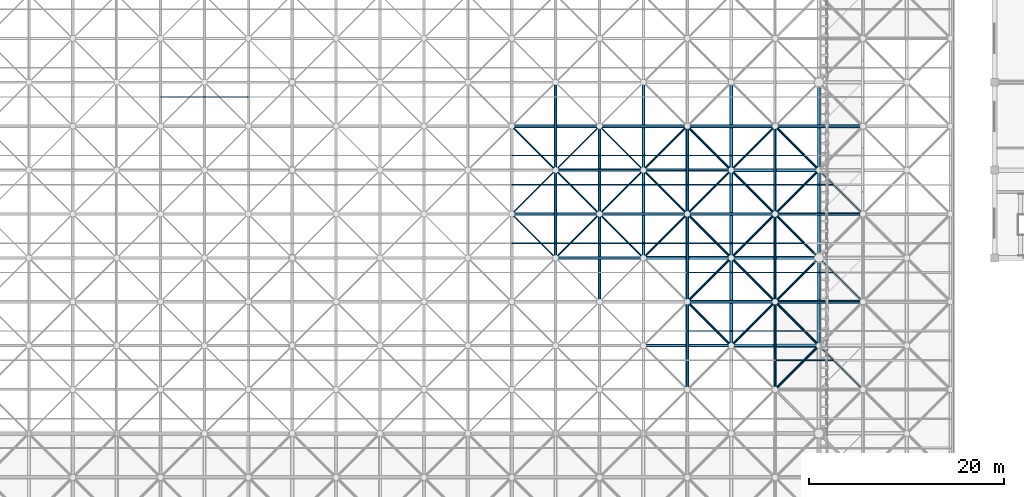
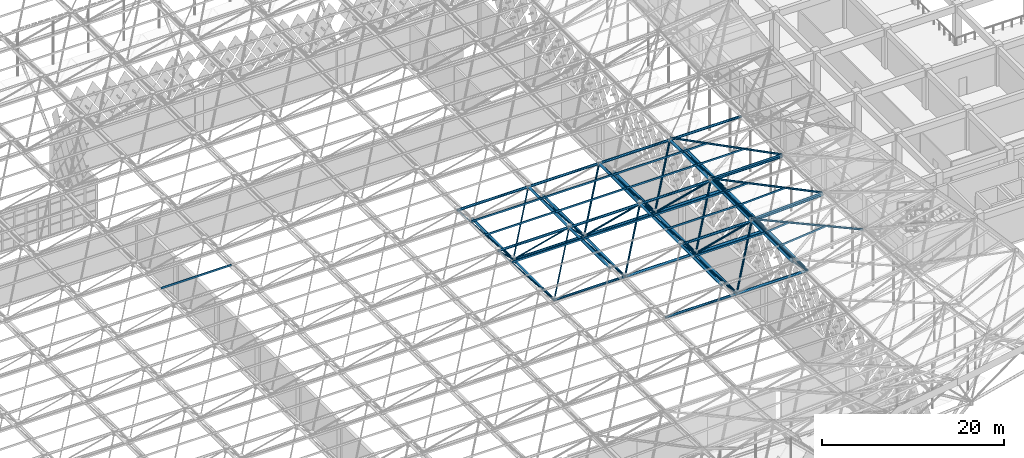
# One storey, part 94 of 437: 89 members.
"""IFC4 building model written with IfcOpenShell, lengths in metres."""

from ifc_helpers import new_model, si_unit, direction, frame, origin, origin_2d, place, context, subcontext, project, spatial, polyline, hollow_circle, outline, extrude, material, material_profile, profile_set, type_object, element, save


model = new_model("IFC4")

# Units and contexts
model_context = context("Model", 3, precision=1e-05, world=origin(), true_north=direction((0.0, 1.0)))
body_context = subcontext(model_context, "Body", "Model", "MODEL_VIEW")
ifc_project = project(units=[si_unit("LENGTHUNIT", "METRE"), si_unit("AREAUNIT", "SQUARE_METRE"), si_unit("VOLUMEUNIT", "CUBIC_METRE"), si_unit("PLANEANGLEUNIT", "RADIAN"), si_unit("MASSUNIT", "GRAM", prefix="KILO")], contexts=[model_context])

# Site, building, storey
site_placement = place(None, origin())
site = spatial("IfcSite", under=ifc_project, at=site_placement, CompositionType="ELEMENT")
building_placement = place(site_placement, origin())
building = spatial("IfcBuilding", under=site, at=building_placement, Name="Opaline Strait Convention Centre", CompositionType="ELEMENT")
storey_placement = place(building_placement, frame((0.0, 0.0, 11.5)))
storey = spatial("IfcBuildingStorey", under=building, at=storey_placement, Name="L02", CompositionType="ELEMENT", Elevation=11.5)

# Members
ifc_material = material(Name="Steel Q355B", Category="steel")
ifc_material_profile_1 = material_profile(ifc_material, outline(polyline([(-0.03759765625, -0.125), (0.03759765625, -0.125), (0.03759765625, -0.10498046875), (0.034912109375, -0.10498046875), (0.034912109375, -0.12255859375), (-0.034912109375, -0.12255859375), (-0.034912109375, 0.12255859375), (0.034912109375, 0.12255859375), (0.034912109375, 0.10498046875), (0.03759765625, 0.10498046875), (0.03759765625, 0.125), (-0.03759765625, 0.125), (-0.03759765625, -0.125)])), Name="C 250x75x20x2.5")
ifc_profile_set_1 = profile_set([ifc_material_profile_1], Name="Steel Q355B")
member_type_1 = type_object("IfcMemberType", Name="Roof purlin C 250x75x20x2.5", PredefinedType="PURLIN", material=ifc_profile_set_1)
member_1_placement = place(storey_placement, frame((247.5, 82.5, 18.257080078125), z_axis=(1.0, 0.0, 0.0), x_axis=(0.0, 1.0, 0.0)))
element("IfcMember", 1, at=member_1_placement, inside=storey, type_object=member_type_1, Name="EXB-RF-P-18-4-1", PredefinedType="PURLIN", context=body_context, shape_type="SweptSolid", body=[
    extrude(outline(polyline([(-0.03759765625, -0.125), (0.03759765625, -0.125), (0.03759765625, -0.10498046875), (0.034912109375, -0.10498046875), (0.034912109375, -0.12255859375), (-0.034912109375, -0.12255859375), (-0.034912109375, 0.12255859375), (0.034912109375, 0.12255859375), (0.034912109375, 0.10498046875), (0.03759765625, 0.10498046875), (0.03759765625, 0.125), (-0.03759765625, 0.125), (-0.03759765625, -0.125)])), origin(), (0.0, 0.0, 1.0), 9.0),
])
member_2_placement = place(storey_placement, frame((265.5, 76.5, 19.144775390625), z_axis=(-0.705385748856, 0.705385748856, -0.069727258812), x_axis=(-0.707423051329, -0.706758384602, 0.006724004996)))
element("IfcMember", 2, at=member_2_placement, inside=storey, type_object=member_type_1, Name="EXB-RF-F-19-4", PredefinedType="PURLIN", context=body_context, shape_type="SweptSolid", body=[
    extrude(outline(polyline([(-0.03759765625, -0.125), (0.03759765625, -0.125), (0.03759765625, -0.10498046875), (0.034912109375, -0.10498046875), (0.034912109375, -0.12255859375), (-0.034912109375, -0.12255859375), (-0.034912109375, 0.12255859375), (0.034912109375, 0.12255859375), (0.034912109375, 0.10498046875), (0.03759765625, 0.10498046875), (0.03759765625, 0.125), (-0.03759765625, 0.125), (-0.03759765625, -0.125)])), origin(), (0.0, 0.0, 1.0), 12.759033203125),
])
member_3_placement = place(storey_placement, frame((256.449951171875, 85.45361328125, 18.257568359375), z_axis=(0.999005016003, 0.0, 0.044597959613), x_axis=(0.002411571545, 0.998536953469, -0.054019782307)))
element("IfcMember", 3, at=member_3_placement, inside=storey, type_object=member_type_1, Name="EXB-RF-E-19-4a", PredefinedType="PURLIN", context=body_context, shape_type="SweptSolid", body=[
    extrude(outline(polyline([(-0.03759765625, -0.125), (0.03759765625, -0.125), (0.03759765625, -0.10498046875), (0.034912109375, -0.10498046875), (0.034912109375, -0.12255859375), (-0.034912109375, -0.12255859375), (-0.034912109375, 0.12255859375), (0.034912109375, 0.12255859375), (0.034912109375, 0.10498046875), (0.03759765625, 0.10498046875), (0.03759765625, 0.125), (-0.03759765625, 0.125), (-0.03759765625, -0.125)])), origin(), (0.0, 0.0, 1.0), 9.109130859375),
])
member_4_placement = place(storey_placement, frame((256.5517578125, 76.449951171875, 18.2626953125), z_axis=(0.0, 1.0, 0.0), x_axis=(-0.995149078082, 0.0, -0.098378414266)))
element("IfcMember", 4, at=member_4_placement, inside=storey, type_object=member_type_1, Name="EXB-RF-E-19-4b", PredefinedType="PURLIN", context=body_context, shape_type="SweptSolid", body=[
    extrude(outline(polyline([(-0.03759765625, -0.125), (0.03759765625, -0.125), (0.03759765625, -0.10498046875), (0.034912109375, -0.10498046875), (0.034912109375, -0.12255859375), (-0.034912109375, -0.12255859375), (-0.034912109375, 0.12255859375), (0.034912109375, 0.12255859375), (0.034912109375, 0.10498046875), (0.03759765625, 0.10498046875), (0.03759765625, 0.125), (-0.03759765625, 0.125), (-0.03759765625, -0.125)])), origin(), (0.0, 0.0, 1.0), 9.10009765625),
])
member_5_placement = place(storey_placement, frame((256.58642578125, 79.5, 18.26611328125), z_axis=(0.995150180521, 0.0, 0.098367261879), x_axis=(0.0, 1.0, 0.0)))
element("IfcMember", 5, at=member_5_placement, inside=storey, type_object=member_type_1, Name="EXB-RF-P-19-4-0b", PredefinedType="PURLIN", context=body_context, shape_type="SweptSolid", body=[
    extrude(outline(polyline([(-0.03759765625, -0.125), (0.03759765625, -0.125), (0.03759765625, -0.10498046875), (0.034912109375, -0.10498046875), (0.034912109375, -0.12255859375), (-0.034912109375, -0.12255859375), (-0.034912109375, 0.12255859375), (0.034912109375, 0.12255859375), (0.034912109375, 0.10498046875), (0.03759765625, 0.10498046875), (0.03759765625, 0.125), (-0.03759765625, 0.125), (-0.03759765625, -0.125)])), origin(), (0.0, 0.0, 1.0), 5.89208984375),
])
member_6_placement = place(storey_placement, frame((256.58642578125, 82.5, 18.26611328125), z_axis=(0.995144966284, 0.0, 0.098419998371), x_axis=(0.0, 1.0, 0.0)))
element("IfcMember", 6, at=member_6_placement, inside=storey, type_object=member_type_1, Name="EXB-RF-P-19-4-1b", PredefinedType="PURLIN", context=body_context, shape_type="SweptSolid", body=[
    extrude(outline(polyline([(-0.03759765625, -0.125), (0.03759765625, -0.125), (0.03759765625, -0.10498046875), (0.034912109375, -0.10498046875), (0.034912109375, -0.12255859375), (-0.034912109375, -0.12255859375), (-0.034912109375, 0.12255859375), (0.034912109375, 0.12255859375), (0.034912109375, 0.10498046875), (0.03759765625, 0.10498046875), (0.03759765625, 0.125), (-0.03759765625, 0.125), (-0.03759765625, -0.125)])), origin(), (0.0, 0.0, 1.0), 2.87744140625),
])
for number, where, z_axis, x_axis, name in (
    (7, (229.5, 91.5, 18.257080078125), (1.0, 0.0, 0.0), (0.0, 1.0, 0.0), "EXB-RF-P-16-5-1"),
    (8, (238.5, 91.5, 18.257080078125), (1.0, 0.0, 0.0), (0.0, 1.0, 0.0), "EXB-RF-P-17-5-1"),
    (9, (247.5, 88.5, 18.257080078125), (1.0, 0.0, 0.0), (0.0, 1.0, 0.0), "EXB-RF-P-18-5-0"),
    (10, (247.5, 91.5, 18.257080078125), (1.0, 0.0, 0.0), (0.0, 1.0, 0.0), "EXB-RF-P-18-5-1"),
):
    element("IfcMember", number, at=place(storey_placement, frame(where, z_axis=z_axis, x_axis=x_axis)), inside=storey, type_object=member_type_1, Name=name, PredefinedType="PURLIN", context=body_context, shape_type="SweptSolid", body=[
        extrude(outline(polyline([(-0.03759765625, -0.125), (0.03759765625, -0.125), (0.03759765625, -0.10498046875), (0.034912109375, -0.10498046875), (0.034912109375, -0.12255859375), (-0.034912109375, -0.12255859375), (-0.034912109375, 0.12255859375), (0.034912109375, 0.12255859375), (0.034912109375, 0.10498046875), (0.03759765625, 0.10498046875), (0.03759765625, 0.125), (-0.03759765625, 0.125), (-0.03759765625, -0.125)])), origin(), (0.0, 0.0, 1.0), 9.0),
    ])
member_7_placement = place(storey_placement, frame((265.5, 85.5, 18.6572265625), z_axis=(-0.706754608869, 0.706754608869, -0.031557022738), x_axis=(-0.707421437094, -0.706472170757, 0.021259874997)))
element("IfcMember", 11, at=member_7_placement, inside=storey, type_object=member_type_1, Name="EXB-RF-F-19-5", PredefinedType="PURLIN", context=body_context, shape_type="SweptSolid", body=[
    extrude(outline(polyline([(-0.03759765625, -0.125), (0.03759765625, -0.125), (0.03759765625, -0.10498046875), (0.034912109375, -0.10498046875), (0.034912109375, -0.12255859375), (-0.034912109375, -0.12255859375), (-0.034912109375, 0.12255859375), (0.034912109375, 0.12255859375), (0.034912109375, 0.10498046875), (0.03759765625, 0.10498046875), (0.03759765625, 0.125), (-0.03759765625, 0.125), (-0.03759765625, -0.125)])), origin(), (0.0, 0.0, 1.0), 12.734375),
])
member_8_placement = place(storey_placement, frame((256.449951171875, 94.45556640625, 18.25830078125), z_axis=(0.999973571083, 0.0, 0.007270291296), x_axis=(0.000271545984, 0.999302242213, -0.037349095988)))
element("IfcMember", 12, at=member_8_placement, inside=storey, type_object=member_type_1, Name="EXB-RF-E-19-5a", PredefinedType="PURLIN", context=body_context, shape_type="SweptSolid", body=[
    extrude(outline(polyline([(-0.03759765625, -0.125), (0.03759765625, -0.125), (0.03759765625, -0.10498046875), (0.034912109375, -0.10498046875), (0.034912109375, -0.12255859375), (-0.034912109375, -0.12255859375), (-0.034912109375, 0.12255859375), (0.034912109375, 0.12255859375), (0.034912109375, 0.10498046875), (0.03759765625, 0.10498046875), (0.03759765625, 0.125), (-0.03759765625, 0.125), (-0.03759765625, -0.125)])), origin(), (0.0, 0.0, 1.0), 9.100341796875),
])
member_9_placement = place(storey_placement, frame((256.54541015625, 85.449951171875, 18.259033203125), z_axis=(0.0, 1.0, 0.0), x_axis=(-0.999004644434, 0.0, -0.044606282058)))
element("IfcMember", 13, at=member_9_placement, inside=storey, type_object=member_type_1, Name="EXB-RF-E-19-5b", PredefinedType="PURLIN", context=body_context, shape_type="SweptSolid", body=[
    extrude(outline(polyline([(-0.03759765625, -0.125), (0.03759765625, -0.125), (0.03759765625, -0.10498046875), (0.034912109375, -0.10498046875), (0.034912109375, -0.12255859375), (-0.034912109375, -0.12255859375), (-0.034912109375, 0.12255859375), (0.034912109375, 0.12255859375), (0.034912109375, 0.10498046875), (0.03759765625, 0.10498046875), (0.03759765625, 0.125), (-0.03759765625, 0.125), (-0.03759765625, -0.125)])), origin(), (0.0, 0.0, 1.0), 9.10009765625),
])
member_10_placement = place(storey_placement, frame((256.579833984375, 88.5, 18.2607421875), z_axis=(0.999005721795, 0.0, 0.044582146876), x_axis=(0.0, 1.0, 0.0)))
element("IfcMember", 14, at=member_10_placement, inside=storey, type_object=member_type_1, Name="EXB-RF-P-19-5-0b", PredefinedType="PURLIN", context=body_context, shape_type="SweptSolid", body=[
    extrude(outline(polyline([(-0.03759765625, -0.125), (0.03759765625, -0.125), (0.03759765625, -0.10498046875), (0.034912109375, -0.10498046875), (0.034912109375, -0.12255859375), (-0.034912109375, -0.12255859375), (-0.034912109375, 0.12255859375), (0.034912109375, 0.12255859375), (0.034912109375, 0.10498046875), (0.03759765625, 0.10498046875), (0.03759765625, 0.125), (-0.03759765625, 0.125), (-0.03759765625, -0.125)])), origin(), (0.0, 0.0, 1.0), 5.8759765625),
])
member_11_placement = place(storey_placement, frame((256.579833984375, 91.5, 18.2607421875), z_axis=(0.99900431847, 0.0, 0.044613581762), x_axis=(0.0, 1.0, 0.0)))
element("IfcMember", 15, at=member_11_placement, inside=storey, type_object=member_type_1, Name="EXB-RF-P-19-5-1b", PredefinedType="PURLIN", context=body_context, shape_type="SweptSolid", body=[
    extrude(outline(polyline([(-0.03759765625, -0.125), (0.03759765625, -0.125), (0.03759765625, -0.10498046875), (0.034912109375, -0.10498046875), (0.034912109375, -0.12255859375), (-0.034912109375, -0.12255859375), (-0.034912109375, 0.12255859375), (0.034912109375, 0.12255859375), (0.034912109375, 0.10498046875), (0.03759765625, 0.10498046875), (0.03759765625, 0.125), (-0.03759765625, 0.125), (-0.03759765625, -0.125)])), origin(), (0.0, 0.0, 1.0), 2.873046875),
])
for number, where, z_axis, x_axis, name in (
    (16, (229.5, 97.5, 18.257080078125), (1.0, 0.0, 0.0), (0.0, 1.0, 0.0), "EXB-RF-P-16-6-0"),
    (17, (229.5, 100.5, 18.257080078125), (1.0, 0.0, 0.0), (0.0, 1.0, 0.0), "EXB-RF-P-16-6-1"),
    (18, (238.5, 97.5, 18.257080078125), (1.0, 0.0, 0.0), (0.0, 1.0, 0.0), "EXB-RF-P-17-6-0"),
    (19, (238.5, 100.5, 18.257080078125), (1.0, 0.0, 0.0), (0.0, 1.0, 0.0), "EXB-RF-P-17-6-1"),
    (20, (247.5, 97.5, 18.257080078125), (1.0, 0.0, 0.0), (0.0, 1.0, 0.0), "EXB-RF-P-18-6-0"),
    (21, (247.5, 100.5, 18.257080078125), (1.0, 0.0, 0.0), (0.0, 1.0, 0.0), "EXB-RF-P-18-6-1"),
):
    element("IfcMember", number, at=place(storey_placement, frame(where, z_axis=z_axis, x_axis=x_axis)), inside=storey, type_object=member_type_1, Name=name, PredefinedType="PURLIN", context=body_context, shape_type="SweptSolid", body=[
        extrude(outline(polyline([(-0.03759765625, -0.125), (0.03759765625, -0.125), (0.03759765625, -0.10498046875), (0.034912109375, -0.10498046875), (0.034912109375, -0.12255859375), (-0.034912109375, -0.12255859375), (-0.034912109375, 0.12255859375), (0.034912109375, 0.12255859375), (0.034912109375, 0.10498046875), (0.03759765625, 0.10498046875), (0.03759765625, 0.125), (-0.03759765625, 0.125), (-0.03759765625, -0.125)])), origin(), (0.0, 0.0, 1.0), 9.0),
    ])
member_12_placement = place(storey_placement, frame((265.5, 94.5, 18.322021484375), z_axis=(-0.7070974383, 0.7070974383, -0.005140573824), x_axis=(-0.707116123947, -0.707078731646, 0.005143394667)))
element("IfcMember", 22, at=member_12_placement, inside=storey, type_object=member_type_1, Name="EXB-RF-F-19-6", PredefinedType="PURLIN", context=body_context, shape_type="SweptSolid", body=[
    extrude(outline(polyline([(-0.03759765625, -0.125), (0.03759765625, -0.125), (0.03759765625, -0.10498046875), (0.034912109375, -0.10498046875), (0.034912109375, -0.12255859375), (-0.034912109375, -0.12255859375), (-0.034912109375, 0.12255859375), (0.034912109375, 0.12255859375), (0.034912109375, 0.10498046875), (0.03759765625, 0.10498046875), (0.03759765625, 0.125), (-0.03759765625, 0.125), (-0.03759765625, -0.125)])), origin(), (0.0, 0.0, 1.0), 12.72802734375),
])
member_13_placement = place(storey_placement, frame((256.5, 97.5, 18.257080078125), z_axis=(0.999973627418, 0.0, 0.007262538757), x_axis=(0.0, 1.0, 0.0)))
element("IfcMember", 23, at=member_13_placement, inside=storey, type_object=member_type_1, Name="EXB-RF-P-19-6-0b", PredefinedType="PURLIN", context=body_context, shape_type="SweptSolid", body=[
    extrude(outline(polyline([(-0.03759765625, -0.125), (0.03759765625, -0.125), (0.03759765625, -0.10498046875), (0.034912109375, -0.10498046875), (0.034912109375, -0.12255859375), (-0.034912109375, -0.12255859375), (-0.034912109375, 0.12255859375), (0.034912109375, 0.12255859375), (0.034912109375, 0.10498046875), (0.03759765625, 0.10498046875), (0.03759765625, 0.125), (-0.03759765625, 0.125), (-0.03759765625, -0.125)])), origin(), (0.0, 0.0, 1.0), 5.9501953125),
])
member_14_placement = place(storey_placement, frame((256.5, 100.5, 18.257080078125), z_axis=(0.999973480305, 0.0, 0.007282766388), x_axis=(0.0, 1.0, 0.0)))
element("IfcMember", 24, at=member_14_placement, inside=storey, type_object=member_type_1, Name="EXB-RF-P-19-6-1b", PredefinedType="PURLIN", context=body_context, shape_type="SweptSolid", body=[
    extrude(outline(polyline([(-0.03759765625, -0.125), (0.03759765625, -0.125), (0.03759765625, -0.10498046875), (0.034912109375, -0.10498046875), (0.034912109375, -0.12255859375), (-0.034912109375, -0.12255859375), (-0.034912109375, 0.12255859375), (0.034912109375, 0.12255859375), (0.034912109375, 0.10498046875), (0.03759765625, 0.10498046875), (0.03759765625, 0.125), (-0.03759765625, 0.125), (-0.03759765625, -0.125)])), origin(), (0.0, 0.0, 1.0), 2.949951171875),
])
member_15_placement = place(storey_placement, frame((193.5, 106.5, 18.257080078125), z_axis=(1.0, 0.0, 0.0), x_axis=(0.0, 1.0, 0.0)))
element("IfcMember", 25, at=member_15_placement, inside=storey, type_object=member_type_1, Name="EXB-RF-P-12-7-0", PredefinedType="PURLIN", context=body_context, shape_type="SweptSolid", body=[
    extrude(outline(polyline([(-0.03759765625, -0.125), (0.03759765625, -0.125), (0.03759765625, -0.10498046875), (0.034912109375, -0.10498046875), (0.034912109375, -0.12255859375), (-0.034912109375, -0.12255859375), (-0.034912109375, 0.12255859375), (0.034912109375, 0.12255859375), (0.034912109375, 0.10498046875), (0.03759765625, 0.10498046875), (0.03759765625, 0.125), (-0.03759765625, 0.125), (-0.03759765625, -0.125)])), origin(), (0.0, 0.0, 1.0), 9.0),
])
ifc_material_profile_2 = material_profile(ifc_material, hollow_circle(Radius=0.1494140625, WallThickness=0.010009765625, at=origin_2d()), Name="CHS 299x10")
ifc_profile_set_2 = profile_set([ifc_material_profile_2], Name="Steel Q355B")
member_type_2 = type_object("IfcMemberType", Name="Space frame bottom chord CHS 299x10", PredefinedType="CHORD", material=ifc_profile_set_2)
for number, where, z_axis, x_axis, name in (
    (26, (233.949951171875, 90.0, 12.5), (1.0, 0.0, 0.0), (0.0, 1.0, 0.0), "EXB-RF-BX-16-5"),
    (27, (233.949951171875, 99.0, 12.5), (1.0, 0.0, 0.0), (0.0, 1.0, 0.0), "EXB-RF-BX-16-6"),
    (28, (234.0, 89.949951171875, 12.5), (0.0, 1.0, 0.0), (-1.0, 0.0, 0.0), "EXB-RF-BY-16-5"),
    (29, (234.0, 98.949951171875, 12.5), (0.0, 1.0, 0.0), (-1.0, 0.0, 0.0), "EXB-RF-BY-16-6"),
):
    element("IfcMember", number, at=place(storey_placement, frame(where, z_axis=z_axis, x_axis=x_axis)), inside=storey, type_object=member_type_2, Name=name, PredefinedType="CHORD", context=body_context, shape_type="SweptSolid", body=[
        extrude(hollow_circle(Radius=0.1494140625, WallThickness=0.010009765625, at=origin_2d()), origin(), (0.0, 0.0, 1.0), 9.10009765625),
    ])
ifc_material_profile_3 = material_profile(ifc_material, hollow_circle(Radius=0.16259765625, WallThickness=0.013916015625, at=origin_2d()), Name="CHS 325x14")
ifc_profile_set_3 = profile_set([ifc_material_profile_3], Name="Steel Q355B")
member_type_3 = type_object("IfcMemberType", Name="Space frame bottom chord CHS 325x14", PredefinedType="CHORD", material=ifc_profile_set_3)
for number, where, z_axis, x_axis, name in (
    (30, (242.949951171875, 81.0, 12.5), (1.0, 0.0, 0.0), (0.0, 1.0, 0.0), "EXB-RF-BX-17-4"),
    (31, (242.949951171875, 99.0, 12.5), (1.0, 0.0, 0.0), (0.0, 1.0, 0.0), "EXB-RF-BX-17-6"),
    (32, (243.0, 89.949951171875, 12.5), (0.0, 1.0, 0.0), (-1.0, 0.0, 0.0), "EXB-RF-BY-17-5"),
    (33, (243.0, 98.949951171875, 12.5), (0.0, 1.0, 0.0), (-1.0, 0.0, 0.0), "EXB-RF-BY-17-6"),
):
    element("IfcMember", number, at=place(storey_placement, frame(where, z_axis=z_axis, x_axis=x_axis)), inside=storey, type_object=member_type_3, Name=name, PredefinedType="CHORD", context=body_context, shape_type="SweptSolid", body=[
        extrude(hollow_circle(Radius=0.16259765625, WallThickness=0.013916015625, at=origin_2d()), origin(), (0.0, 0.0, 1.0), 9.10009765625),
    ])
ifc_material_profile_4 = material_profile(ifc_material, hollow_circle(Radius=0.175537109375, WallThickness=0.01611328125, at=origin_2d()), Name="CHS 351x16")
ifc_profile_set_4 = profile_set([ifc_material_profile_4], Name="Steel Q355B")
member_type_4 = type_object("IfcMemberType", Name="Space frame bottom chord CHS 351x16", PredefinedType="CHORD", material=ifc_profile_set_4)
for number, where, z_axis, x_axis, name in (
    (34, (251.949951171875, 81.0, 12.5), (1.0, 0.0, 0.0), (0.0, 1.0, 0.0), "EXB-RF-BX-18-4"),
    (35, (242.949951171875, 90.0, 12.5), (1.0, 0.0, 0.0), (0.0, 1.0, 0.0), "EXB-RF-BX-17-5"),
    (36, (251.949951171875, 90.0, 12.5), (1.0, 0.0, 0.0), (0.0, 1.0, 0.0), "EXB-RF-BX-18-5"),
    (37, (251.949951171875, 99.0, 12.5), (1.0, 0.0, 0.0), (0.0, 1.0, 0.0), "EXB-RF-BX-18-6"),
    (38, (252.0, 80.949951171875, 12.5), (0.0, 1.0, 0.0), (-1.0, 0.0, 0.0), "EXB-RF-BY-18-4"),
    (39, (252.0, 89.949951171875, 12.5), (0.0, 1.0, 0.0), (-1.0, 0.0, 0.0), "EXB-RF-BY-18-5"),
    (40, (252.0, 98.949951171875, 12.5), (0.0, 1.0, 0.0), (-1.0, 0.0, 0.0), "EXB-RF-BY-18-6"),
    (41, (261.0, 80.949951171875, 12.5), (0.0, 1.0, 0.0), (-1.0, 0.0, 0.0), "EXB-RF-BY-19-4"),
    (42, (261.0, 89.949951171875, 12.5), (0.0, 1.0, 0.0), (-1.0, 0.0, 0.0), "EXB-RF-BY-19-5"),
    (43, (261.0, 98.949951171875, 12.5), (0.0, 1.0, 0.0), (-1.0, 0.0, 0.0), "EXB-RF-BY-19-6"),
):
    element("IfcMember", number, at=place(storey_placement, frame(where, z_axis=z_axis, x_axis=x_axis)), inside=storey, type_object=member_type_4, Name=name, PredefinedType="CHORD", context=body_context, shape_type="SweptSolid", body=[
        extrude(hollow_circle(Radius=0.175537109375, WallThickness=0.01611328125, at=origin_2d()), origin(), (0.0, 0.0, 1.0), 9.10009765625),
    ])
ifc_material_profile_5 = material_profile(ifc_material, hollow_circle(Radius=0.16259765625, WallThickness=0.010009765625, at=origin_2d()), Name="CHS 325x10")
ifc_profile_set_5 = profile_set([ifc_material_profile_5], Name="Steel Q355B")
member_type_5 = type_object("IfcMemberType", Name="Space frame top chord CHS 325x10", PredefinedType="CHORD", material=ifc_profile_set_5)
for number, where, z_axis, x_axis, name in (
    (44, (229.449951171875, 94.5, 17.971435546875), (1.0, 0.0, 0.0), (0.0, 1.0, 0.0), "EXB-RF-TX-16-6"),
    (45, (229.449951171875, 103.5, 17.971435546875), (1.0, 0.0, 0.0), (0.0, 1.0, 0.0), "EXB-RF-TX-16-7"),
    (46, (238.5, 85.449951171875, 17.971435546875), (0.0, 1.0, 0.0), (-1.0, 0.0, 0.0), "EXB-RF-TY-17-5"),
    (47, (238.5, 94.449951171875, 17.971435546875), (0.0, 1.0, 0.0), (-1.0, 0.0, 0.0), "EXB-RF-TY-17-6"),
):
    element("IfcMember", number, at=place(storey_placement, frame(where, z_axis=z_axis, x_axis=x_axis)), inside=storey, type_object=member_type_5, Name=name, PredefinedType="CHORD", context=body_context, shape_type="SweptSolid", body=[
        extrude(hollow_circle(Radius=0.16259765625, WallThickness=0.010009765625, at=origin_2d()), origin(), (0.0, 0.0, 1.0), 9.10009765625),
    ])
ifc_material_profile_6 = material_profile(ifc_material, hollow_circle(Radius=0.16259765625, WallThickness=0.013916015625, at=origin_2d()), Name="CHS 325x14")
ifc_profile_set_6 = profile_set([ifc_material_profile_6], Name="Steel Q355B")
member_type_6 = type_object("IfcMemberType", Name="Space frame top chord CHS 325x14", PredefinedType="CHORD", material=ifc_profile_set_6)
for number, where, z_axis, x_axis, name in (
    (48, (238.449951171875, 94.5, 17.971435546875), (1.0, 0.0, 0.0), (0.0, 1.0, 0.0), "EXB-RF-TX-17-6"),
    (49, (238.449951171875, 103.5, 17.971435546875), (1.0, 0.0, 0.0), (0.0, 1.0, 0.0), "EXB-RF-TX-17-7"),
    (50, (247.5, 76.449951171875, 17.971435546875), (0.0, 1.0, 0.0), (-1.0, 0.0, 0.0), "EXB-RF-TY-18-4"),
    (51, (247.5, 94.449951171875, 17.971435546875), (0.0, 1.0, 0.0), (-1.0, 0.0, 0.0), "EXB-RF-TY-18-6"),
):
    element("IfcMember", number, at=place(storey_placement, frame(where, z_axis=z_axis, x_axis=x_axis)), inside=storey, type_object=member_type_6, Name=name, PredefinedType="CHORD", context=body_context, shape_type="SweptSolid", body=[
        extrude(hollow_circle(Radius=0.16259765625, WallThickness=0.013916015625, at=origin_2d()), origin(), (0.0, 0.0, 1.0), 9.10009765625),
    ])
ifc_material_profile_7 = material_profile(ifc_material, hollow_circle(Radius=0.16259765625, WallThickness=0.02001953125, at=origin_2d()), Name="CHS 325x20")
ifc_profile_set_7 = profile_set([ifc_material_profile_7], Name="Steel Q355B")
member_type_7 = type_object("IfcMemberType", Name="Space frame top chord CHS 325x20", PredefinedType="CHORD", material=ifc_profile_set_7)
member_16_placement = place(storey_placement, frame((247.449951171875, 85.5, 17.971435546875), z_axis=(1.0, 0.0, 0.0), x_axis=(0.0, 1.0, 0.0)))
element("IfcMember", 52, at=member_16_placement, inside=storey, type_object=member_type_7, Name="EXB-RF-TX-18-5", PredefinedType="CHORD", context=body_context, shape_type="SweptSolid", body=[
    extrude(hollow_circle(Radius=0.16259765625, WallThickness=0.02001953125, at=origin_2d()), origin(), (0.0, 0.0, 1.0), 9.10009765625),
])
member_17_placement = place(storey_placement, frame((256.449951171875, 85.5, 17.96923828125), z_axis=(0.999005016003, 0.0, 0.044597959613), x_axis=(0.0, 1.0, 0.0)))
element("IfcMember", 53, at=member_17_placement, inside=storey, type_object=member_type_7, Name="EXB-RF-TX-19-5", PredefinedType="CHORD", context=body_context, shape_type="SweptSolid", body=[
    extrude(hollow_circle(Radius=0.16259765625, WallThickness=0.02001953125, at=origin_2d()), origin(), (0.0, 0.0, 1.0), 9.109130859375),
])
member_18_placement = place(storey_placement, frame((247.449951171875, 94.5, 17.971435546875), z_axis=(1.0, 0.0, 0.0), x_axis=(0.0, 1.0, 0.0)))
element("IfcMember", 54, at=member_18_placement, inside=storey, type_object=member_type_7, Name="EXB-RF-TX-18-6", PredefinedType="CHORD", context=body_context, shape_type="SweptSolid", body=[
    extrude(hollow_circle(Radius=0.16259765625, WallThickness=0.02001953125, at=origin_2d()), origin(), (0.0, 0.0, 1.0), 9.10009765625),
])
member_19_placement = place(storey_placement, frame((256.449951171875, 94.5, 17.97119140625), z_axis=(0.999973571083, 0.0, 0.007270291296), x_axis=(0.0, 1.0, 0.0)))
element("IfcMember", 55, at=member_19_placement, inside=storey, type_object=member_type_7, Name="EXB-RF-TX-19-6", PredefinedType="CHORD", context=body_context, shape_type="SweptSolid", body=[
    extrude(hollow_circle(Radius=0.16259765625, WallThickness=0.02001953125, at=origin_2d()), origin(), (0.0, 0.0, 1.0), 9.100341796875),
])
for number, where, z_axis, x_axis, name in (
    (56, (247.449951171875, 103.5, 17.971435546875), (1.0, 0.0, 0.0), (0.0, 1.0, 0.0), "EXB-RF-TX-18-7"),
    (57, (256.449951171875, 103.5, 17.971435546875), (1.0, 0.0, 0.0), (0.0, 1.0, 0.0), "EXB-RF-TX-19-7"),
    (58, (247.5, 85.449951171875, 17.971435546875), (0.0, 1.0, 0.0), (-1.0, 0.0, 0.0), "EXB-RF-TY-18-5"),
    (59, (256.5, 76.449951171875, 17.971435546875), (0.0, 1.0, 0.0), (-1.0, 0.0, 0.0), "EXB-RF-TY-19-4"),
    (60, (256.5, 85.449951171875, 17.971435546875), (0.0, 1.0, 0.0), (-1.0, 0.0, 0.0), "EXB-RF-TY-19-5"),
    (61, (256.5, 94.449951171875, 17.971435546875), (0.0, 1.0, 0.0), (-1.0, 0.0, 0.0), "EXB-RF-TY-19-6"),
):
    element("IfcMember", number, at=place(storey_placement, frame(where, z_axis=z_axis, x_axis=x_axis)), inside=storey, type_object=member_type_7, Name=name, PredefinedType="CHORD", context=body_context, shape_type="SweptSolid", body=[
        extrude(hollow_circle(Radius=0.16259765625, WallThickness=0.02001953125, at=origin_2d()), origin(), (0.0, 0.0, 1.0), 9.10009765625),
    ])
ifc_material_profile_8 = material_profile(ifc_material, hollow_circle(Radius=0.083984375, WallThickness=0.008056640625, at=origin_2d()), Name="CHS 168x8")
ifc_profile_set_8 = profile_set([ifc_material_profile_8], Name="Steel Q355B")
member_type_8 = type_object("IfcMemberType", Name="Space frame web CHS 168x8", PredefinedType="BRACE", material=ifc_profile_set_8)
for number, where, z_axis, x_axis, name in (
    (62, (229.47314453125, 94.52685546875, 18.004150390625), (0.536178220346, -0.536178220346, -0.6519400525), (0.707106781187, 0.707106781187, 0.0), "EXB-RF-W-16-5-01"),
    (63, (238.52685546875, 94.52685546875, 18.004150390625), (-0.536178220346, -0.536178220346, -0.6519400525), (0.707106781187, -0.707106781187, 0.0), "EXB-RF-W-16-5-11"),
    (64, (229.47314453125, 94.47314453125, 18.004150390625), (0.536178220346, 0.536178220346, -0.6519400525), (-0.707106781187, 0.707106781187, 0.0), "EXB-RF-W-16-6-00"),
    (65, (229.47314453125, 103.52685546875, 18.004150390625), (0.536178220346, -0.536178220346, -0.6519400525), (0.707106781187, 0.707106781187, 0.0), "EXB-RF-W-16-6-01"),
    (66, (238.52685546875, 94.47314453125, 18.004150390625), (-0.536178220346, 0.536178220346, -0.6519400525), (-0.707106781187, -0.707106781187, 0.0), "EXB-RF-W-16-6-10"),
    (67, (238.52685546875, 103.52685546875, 18.004150390625), (-0.536178220346, -0.536178220346, -0.6519400525), (0.707106781187, -0.707106781187, 0.0), "EXB-RF-W-16-6-11"),
    (68, (238.47314453125, 94.52685546875, 18.004150390625), (0.536178220346, -0.536178220346, -0.6519400525), (0.707106781187, 0.707106781187, 0.0), "EXB-RF-W-17-5-01"),
    (69, (238.47314453125, 94.47314453125, 18.004150390625), (0.536178220346, 0.536178220346, -0.6519400525), (-0.707106781187, 0.707106781187, 0.0), "EXB-RF-W-17-6-00"),
    (70, (238.47314453125, 103.52685546875, 18.004150390625), (0.536178220346, -0.536178220346, -0.6519400525), (0.707106781187, 0.707106781187, 0.0), "EXB-RF-W-17-6-01"),
):
    element("IfcMember", number, at=place(storey_placement, frame(where, z_axis=z_axis, x_axis=x_axis)), inside=storey, type_object=member_type_8, Name=name, PredefinedType="BRACE", context=body_context, shape_type="SweptSolid", body=[
        extrude(hollow_circle(Radius=0.083984375, WallThickness=0.008056640625, at=origin_2d()), origin(), (0.0, 0.0, 1.0), 8.492919921875),
    ])
ifc_material_profile_9 = material_profile(ifc_material, hollow_circle(Radius=0.109619140625, WallThickness=0.010009765625, at=origin_2d()), Name="CHS 219x10")
ifc_profile_set_9 = profile_set([ifc_material_profile_9], Name="Steel Q355B")
member_type_9 = type_object("IfcMemberType", Name="Space frame web CHS 219x10", PredefinedType="BRACE", material=ifc_profile_set_9)
for number, where, z_axis, x_axis, name in (
    (71, (247.52685546875, 94.52685546875, 18.004150390625), (-0.536178220346, -0.536178220346, -0.6519400525), (0.707106781187, -0.707106781187, 0.0), "EXB-RF-W-17-5-11"),
    (72, (247.52685546875, 94.47314453125, 18.004150390625), (-0.536178220346, 0.536178220346, -0.6519400525), (-0.707106781187, -0.707106781187, 0.0), "EXB-RF-W-17-6-10"),
    (73, (247.52685546875, 103.52685546875, 18.004150390625), (-0.536178220346, -0.536178220346, -0.6519400525), (0.707106781187, -0.707106781187, 0.0), "EXB-RF-W-17-6-11"),
):
    element("IfcMember", number, at=place(storey_placement, frame(where, z_axis=z_axis, x_axis=x_axis)), inside=storey, type_object=member_type_9, Name=name, PredefinedType="BRACE", context=body_context, shape_type="SweptSolid", body=[
        extrude(hollow_circle(Radius=0.109619140625, WallThickness=0.010009765625, at=origin_2d()), origin(), (0.0, 0.0, 1.0), 8.492919921875),
    ])
ifc_material_profile_10 = material_profile(ifc_material, hollow_circle(Radius=0.12255859375, WallThickness=0.011962890625, at=origin_2d()), Name="CHS 245x12")
ifc_profile_set_10 = profile_set([ifc_material_profile_10], Name="Steel Q355B")
member_type_10 = type_object("IfcMemberType", Name="Space frame web CHS 245x12", PredefinedType="BRACE", material=ifc_profile_set_10)
for number, where, z_axis, x_axis, name in (
    (74, (247.47314453125, 85.52685546875, 18.004150390625), (0.536178220346, -0.536178220346, -0.6519400525), (0.707106781187, 0.707106781187, 0.0), "EXB-RF-W-18-4-01"),
    (75, (256.52685546875, 85.52685546875, 18.004150390625), (-0.536178220346, -0.536178220346, -0.6519400525), (0.707106781187, -0.707106781187, 0.0), "EXB-RF-W-18-4-11"),
    (76, (247.47314453125, 85.47314453125, 18.004150390625), (0.536178220346, 0.536178220346, -0.6519400525), (-0.707106781187, 0.707106781187, 0.0), "EXB-RF-W-18-5-00"),
    (77, (247.47314453125, 94.52685546875, 18.004150390625), (0.536178220346, -0.536178220346, -0.6519400525), (0.707106781187, 0.707106781187, 0.0), "EXB-RF-W-18-5-01"),
    (78, (256.52685546875, 85.47314453125, 18.004150390625), (-0.536178220346, 0.536178220346, -0.6519400525), (-0.707106781187, -0.707106781187, 0.0), "EXB-RF-W-18-5-10"),
    (79, (256.52685546875, 94.52685546875, 18.004150390625), (-0.536178220346, -0.536178220346, -0.6519400525), (0.707106781187, -0.707106781187, 0.0), "EXB-RF-W-18-5-11"),
    (80, (247.47314453125, 94.47314453125, 18.004150390625), (0.536178220346, 0.536178220346, -0.6519400525), (-0.707106781187, 0.707106781187, 0.0), "EXB-RF-W-18-6-00"),
    (81, (247.47314453125, 103.52685546875, 18.004150390625), (0.536178220346, -0.536178220346, -0.6519400525), (0.707106781187, 0.707106781187, 0.0), "EXB-RF-W-18-6-01"),
    (82, (256.52685546875, 94.47314453125, 18.004150390625), (-0.536178220346, 0.536178220346, -0.6519400525), (-0.707106781187, -0.707106781187, 0.0), "EXB-RF-W-18-6-10"),
    (83, (256.52685546875, 103.52685546875, 18.004150390625), (-0.536178220346, -0.536178220346, -0.6519400525), (0.707106781187, -0.707106781187, 0.0), "EXB-RF-W-18-6-11"),
    (84, (256.47314453125, 76.47314453125, 18.004150390625), (0.536178220346, 0.536178220346, -0.6519400525), (-0.707106781187, 0.707106781187, 0.0), "EXB-RF-W-19-4-00"),
    (85, (256.47314453125, 85.52685546875, 18.004150390625), (0.536178220346, -0.536178220346, -0.6519400525), (0.707106781187, 0.707106781187, 0.0), "EXB-RF-W-19-4-01"),
    (86, (256.47314453125, 85.47314453125, 18.004150390625), (0.536178220346, 0.536178220346, -0.6519400525), (-0.707106781187, 0.707106781187, 0.0), "EXB-RF-W-19-5-00"),
    (87, (256.47314453125, 94.52685546875, 18.004150390625), (0.536178220346, -0.536178220346, -0.6519400525), (0.707106781187, 0.707106781187, 0.0), "EXB-RF-W-19-5-01"),
    (88, (256.47314453125, 94.47314453125, 18.004150390625), (0.536178220346, 0.536178220346, -0.6519400525), (-0.707106781187, 0.707106781187, 0.0), "EXB-RF-W-19-6-00"),
    (89, (256.47314453125, 103.52685546875, 18.004150390625), (0.536178220346, -0.536178220346, -0.6519400525), (0.707106781187, 0.707106781187, 0.0), "EXB-RF-W-19-6-01"),
):
    element("IfcMember", number, at=place(storey_placement, frame(where, z_axis=z_axis, x_axis=x_axis)), inside=storey, type_object=member_type_10, Name=name, PredefinedType="BRACE", context=body_context, shape_type="SweptSolid", body=[
        extrude(hollow_circle(Radius=0.12255859375, WallThickness=0.011962890625, at=origin_2d()), origin(), (0.0, 0.0, 1.0), 8.492919921875),
    ])

save(model, "model.ifc")
